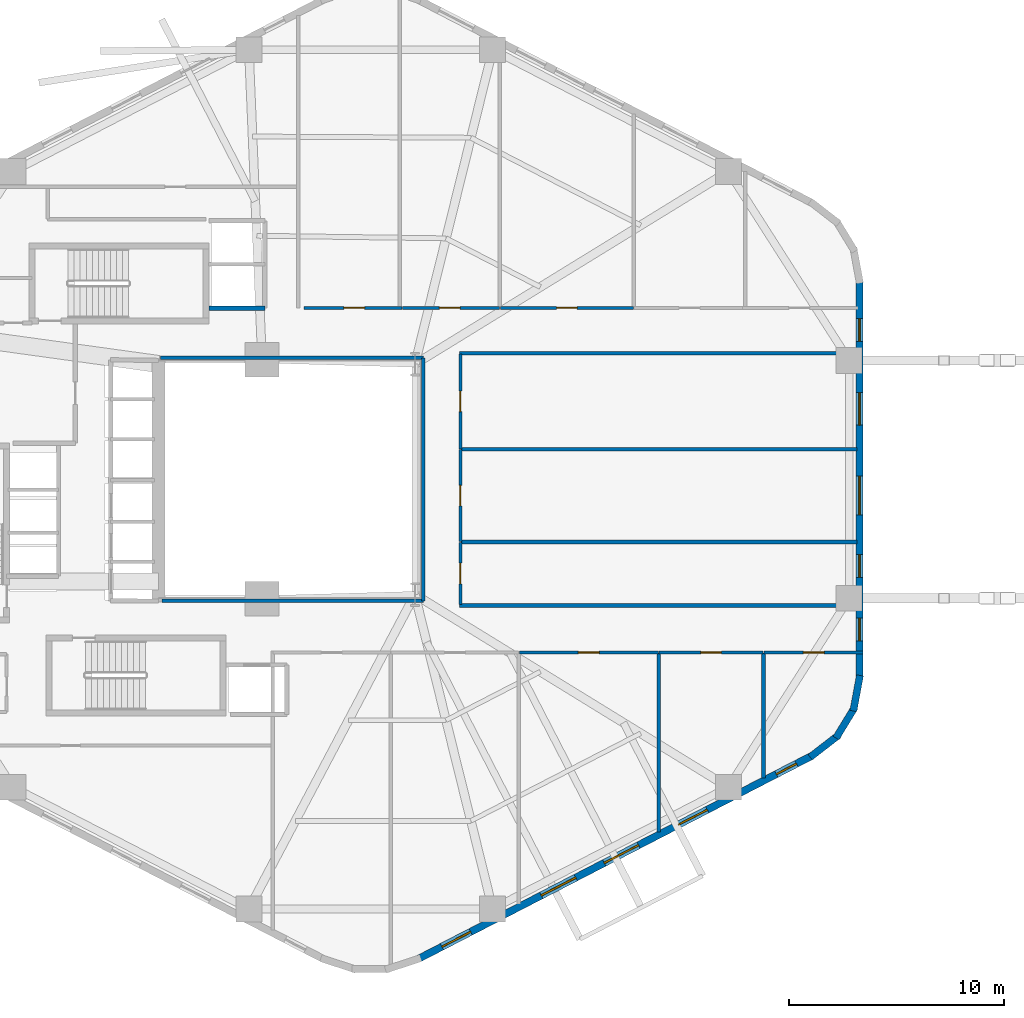
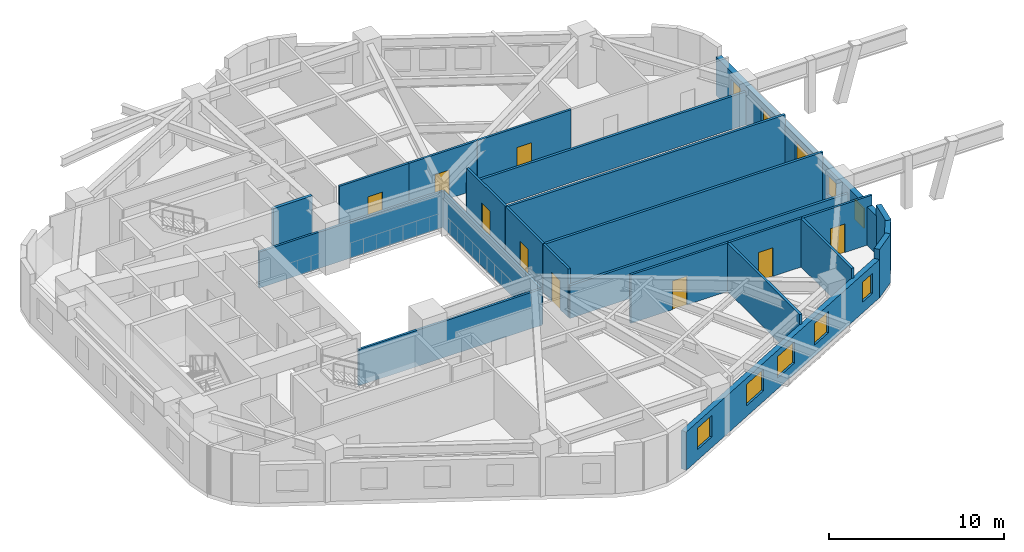
# One storey, part 4 of 7: 24 walls, 10 windows, 9 doors, 19 openings.
"""IFC4 building model written with IfcOpenShell, lengths in metres."""

from ifc_helpers import new_model, si_unit, direction, frame, frame_2d, origin, place, context, subcontext, project, spatial, rectangle, extrude, material, layer, layer_set, type_object, element, fill, save


model = new_model("IFC4")

# Units and contexts
model_context = context("Model", 3, precision=1e-05, world=origin(), true_north=direction((0.0, 1.0)))
body_context = subcontext(model_context, "Body", "Model", "MODEL_VIEW")
ifc_project = project(units=[si_unit("LENGTHUNIT", "METRE"), si_unit("AREAUNIT", "SQUARE_METRE"), si_unit("VOLUMEUNIT", "CUBIC_METRE"), si_unit("PLANEANGLEUNIT", "RADIAN"), si_unit("MASSUNIT", "GRAM", prefix="KILO"), si_unit("THERMODYNAMICTEMPERATUREUNIT", "KELVIN"), si_unit("POWERUNIT", "WATT")], contexts=[model_context])

# Site, building, storey
site_placement = place(None, origin())
site = spatial("IfcSite", under=ifc_project, at=site_placement, CompositionType="ELEMENT")
building_placement = place(site_placement, origin())
building = spatial("IfcBuilding", under=site, at=building_placement, Name="Skarre Station Tower", CompositionType="ELEMENT")
storey_placement = place(building_placement, frame((0.0, 0.0, 41.60009765625)))
storey = spatial("IfcBuildingStorey", under=building, at=storey_placement, Name="L10", CompositionType="ELEMENT", Elevation=41.60009765625)

# Walls
ifc_material_1 = material(Name="Acoustic Steel-Stud Gypsum Partition", Category="steel")
ifc_layer_1 = layer(ifc_material_1, 0.14990234375, Name="Acoustic Steel-Stud Gypsum Partition")
ifc_layer_set_1 = layer_set([ifc_layer_1], Name="Acoustic Steel-Stud Gypsum Partition")
wall_type_1 = type_object("IfcWallType", Name="Fire-Rated Corridor Acoustic Partition 150", PredefinedType="PARTITIONING", material=ifc_layer_set_1)
wall_1_placement = place(storey_placement, frame((27.699951171875, 18.360107421875, 0.0), z_axis=(0.0, 0.0, 1.0), x_axis=(1.0, 0.0, 0.0)))
element("IfcWall", 1, at=wall_1_placement, inside=storey, type_object=wall_type_1, Name="L10 Interior Partition WL-PT-L10-ATRW-S", PredefinedType="PARTITIONING", context=body_context, shape_type="SweptSolid", body=[
    extrude(rectangle(XDim=12.14013671875, YDim=0.14990234375, at=frame_2d((6.070068359375, 0.0))), origin(), (0.0, 0.0, 1.0), 2.531005859375),
])
wall_2_placement = place(storey_placement, frame((39.840087890625, 29.639892578125, 0.0), z_axis=(0.0, 0.0, 1.0), x_axis=(-1.0, 0.0, 0.0)))
element("IfcWall", 2, at=wall_2_placement, inside=storey, type_object=wall_type_1, Name="L10 Interior Partition WL-PT-L10-ATRW-N", PredefinedType="PARTITIONING", context=body_context, shape_type="SweptSolid", body=[
    extrude(rectangle(XDim=12.2001953125, YDim=0.14990234375, at=frame_2d((6.10009765625, 0.0))), origin(), (0.0, 0.0, 1.0), 2.531005859375),
])
wall_3_placement = place(storey_placement, frame((39.840087890625, 18.360107421875, 0.0), z_axis=(0.0, 0.0, 1.0), x_axis=(0.0, 1.0, 0.0)))
element("IfcWall", 3, at=wall_3_placement, inside=storey, type_object=wall_type_1, Name="L10 Interior Partition WL-PT-L10-ATRW-E", PredefinedType="PARTITIONING", context=body_context, shape_type="SweptSolid", body=[
    extrude(rectangle(XDim=11.27978515625, YDim=0.14990234375, at=frame_2d((5.639892578125, 0.0))), origin(), (0.0, 0.0, 1.0), 2.512939453125),
])

# Wall, opening, door
wall_4_placement = place(storey_placement, frame((38.85888671875, 31.9599609375, 0.0), z_axis=(0.0, 0.0, 1.0), x_axis=(-1.0, 0.0, 0.0)))
wall_4 = element("IfcWall", 4, at=wall_4_placement, inside=storey, type_object=wall_type_1, Name="L10 Interior Partition WL-PT-L10-NW1-CW", PredefinedType="PARTITIONING", context=body_context, shape_type="SweptSolid", body=[
    extrude(rectangle(XDim=4.56884765625, YDim=0.14990234375, at=frame_2d((2.284423828125, 0.0))), origin(), (0.0, 0.0, 1.0), 3.389892578125),
])
opening_1_placement = place(wall_4_placement, frame((1.748046875, 0.0, 0.0)))
opening_1 = element("IfcOpeningElement", 5, at=opening_1_placement, cuts=wall_4, Name="Opening DR-FD60", PredefinedType="OPENING", context=body_context, shape_type="SweptSolid", body=[
    extrude(rectangle(XDim=0.9599609375, YDim=2.0, at=frame_2d((0.47998046875, 1.0))), frame((0.0, 0.0849609375, 0.0), z_axis=(0.0, -1.0, 0.0), x_axis=(1.0, 0.0, 0.0)), (0.0, 0.0, 1.0), 0.169921875),
])
ifc_material_2 = material(Name="Nordic White-Oak Veneer Solid-Core Fire Leaf", Category="wood")
door_type = type_object("IfcDoorType", Name="Corridor Suite Entry Fire Door FD60 960x2150", OperationType="SINGLE_SWING_LEFT", PredefinedType="DOOR", material=ifc_material_2)
door_1_placement = place(opening_1_placement, origin())
door_1 = element("IfcDoor", 6, at=door_1_placement, inside=storey, type_object=door_type, Name="L10 NW1 Entry Door", OperationType="SINGLE_SWING_LEFT", OverallHeight=2.0, OverallWidth=0.9599609375, PredefinedType="DOOR", context=body_context, shape_type="SweptSolid", body=[
    extrude(rectangle(XDim=0.9599609375, YDim=2.0, at=frame_2d((0.47998046875, 1.0))), frame((0.0, 0.02490234375, 0.0), z_axis=(0.0, -1.0, 0.0), x_axis=(1.0, 0.0, 0.0)), (0.0, 0.0, 1.0), 0.050048828125),
])
fill(opening_1, door_1)

wall_5_placement = place(storey_placement, frame((43.382080078125, 31.9599609375, 0.0), z_axis=(0.0, 0.0, 1.0), x_axis=(-1.0, 0.0, 0.0)))
wall_5 = element("IfcWall", 7, at=wall_5_placement, inside=storey, type_object=wall_type_1, Name="L10 Interior Partition WL-PT-L10-NW2-CW", PredefinedType="PARTITIONING", context=body_context, shape_type="SweptSolid", body=[
    extrude(rectangle(XDim=4.51318359375, YDim=0.14990234375, at=frame_2d((2.256591796875, 0.0))), origin(), (0.0, 0.0, 1.0), 3.389892578125),
])
opening_2_placement = place(wall_5_placement, frame((1.833984375, 0.0, 0.0)))
opening_2 = element("IfcOpeningElement", 8, at=opening_2_placement, cuts=wall_5, Name="Opening DR-FD60", PredefinedType="OPENING", context=body_context, shape_type="SweptSolid", body=[
    extrude(rectangle(XDim=0.9599609375, YDim=2.0, at=frame_2d((0.47998046875, 1.0))), frame((0.0, 0.0849609375, 0.0), z_axis=(0.0, -1.0, 0.0), x_axis=(1.0, 0.0, 0.0)), (0.0, 0.0, 1.0), 0.169921875),
])
door_2_placement = place(opening_2_placement, origin())
door_2 = element("IfcDoor", 9, at=door_2_placement, inside=storey, type_object=door_type, Name="L10 NW2 Entry Door", OperationType="SINGLE_SWING_LEFT", OverallHeight=2.0, OverallWidth=0.9599609375, PredefinedType="DOOR", context=body_context, shape_type="SweptSolid", body=[
    extrude(rectangle(XDim=0.9599609375, YDim=2.0, at=frame_2d((0.47998046875, 1.0))), frame((0.0, 0.02490234375, 0.0), z_axis=(0.0, -1.0, 0.0), x_axis=(1.0, 0.0, 0.0)), (0.0, 0.0, 1.0), 0.050048828125),
])
fill(opening_2, door_2)

wall_6_placement = place(storey_placement, frame((49.593994140625, 31.9599609375, 0.0), z_axis=(0.0, 0.0, 1.0), x_axis=(-1.0, 0.0, 0.0)))
wall_6 = element("IfcWall", 10, at=wall_6_placement, inside=storey, type_object=wall_type_1, Name="L10 Interior Partition WL-PT-L10-NW3-CW", PredefinedType="PARTITIONING", context=body_context, shape_type="SweptSolid", body=[
    extrude(rectangle(XDim=6.179931640625, YDim=0.14990234375, at=frame_2d((3.08984375, 0.0))), origin(), (0.0, 0.0, 1.0), 3.389892578125),
])
opening_3_placement = place(wall_6_placement, frame((2.610107421875, 0.0, 0.0)))
opening_3 = element("IfcOpeningElement", 11, at=opening_3_placement, cuts=wall_6, Name="Opening DR-FD60", PredefinedType="OPENING", context=body_context, shape_type="SweptSolid", body=[
    extrude(rectangle(XDim=0.9599609375, YDim=2.0, at=frame_2d((0.47998046875, 1.0))), frame((0.0, 0.0849609375, 0.0), z_axis=(0.0, -1.0, 0.0), x_axis=(1.0, 0.0, 0.0)), (0.0, 0.0, 1.0), 0.169921875),
])
door_3_placement = place(opening_3_placement, origin())
door_3 = element("IfcDoor", 12, at=door_3_placement, inside=storey, type_object=door_type, Name="L10 NW3 Entry Door", OperationType="SINGLE_SWING_LEFT", OverallHeight=2.0, OverallWidth=0.9599609375, PredefinedType="DOOR", context=body_context, shape_type="SweptSolid", body=[
    extrude(rectangle(XDim=0.9599609375, YDim=2.0, at=frame_2d((0.47998046875, 1.0))), frame((0.0, 0.02490234375, 0.0), z_axis=(0.0, -1.0, 0.0), x_axis=(1.0, 0.0, 0.0)), (0.0, 0.0, 1.0), 0.050048828125),
])
fill(opening_3, door_3)

wall_7_placement = place(storey_placement, frame((41.56005859375, 18.179931640625, 0.0), z_axis=(0.0, 0.0, 1.0), x_axis=(0.0, 1.0, 0.0)))
wall_7 = element("IfcWall", 13, at=wall_7_placement, inside=storey, type_object=wall_type_1, Name="L10 Interior Partition WL-PT-L10-EW1-CW", PredefinedType="PARTITIONING", context=body_context, shape_type="SweptSolid", body=[
    extrude(rectangle(XDim=2.89208984375, YDim=0.14990234375, at=frame_2d((1.446044921875, 0.0))), origin(), (0.0, 0.0, 1.0), 3.389892578125),
])
opening_4_placement = place(wall_7_placement, frame((0.966064453125, 0.0, 0.0)))
opening_4 = element("IfcOpeningElement", 14, at=opening_4_placement, cuts=wall_7, Name="Opening DR-FD60", PredefinedType="OPENING", context=body_context, shape_type="SweptSolid", body=[
    extrude(rectangle(XDim=0.9599609375, YDim=2.0, at=frame_2d((0.47998046875, 1.0))), frame((0.0, 0.0849609375, 0.0), z_axis=(0.0, -1.0, 0.0), x_axis=(1.0, 0.0, 0.0)), (0.0, 0.0, 1.0), 0.169921875),
])
door_4_placement = place(opening_4_placement, origin())
door_4 = element("IfcDoor", 15, at=door_4_placement, inside=storey, type_object=door_type, Name="L10 EW1 Entry Door", OperationType="SINGLE_SWING_LEFT", OverallHeight=2.0, OverallWidth=0.9599609375, PredefinedType="DOOR", context=body_context, shape_type="SweptSolid", body=[
    extrude(rectangle(XDim=0.9599609375, YDim=2.0, at=frame_2d((0.47998046875, 1.0))), frame((0.0, 0.02490234375, 0.0), z_axis=(0.0, -1.0, 0.0), x_axis=(1.0, 0.0, 0.0)), (0.0, 0.0, 1.0), 0.050048828125),
])
fill(opening_4, door_4)

wall_8_placement = place(storey_placement, frame((41.56005859375, 21.10791015625, 0.0), z_axis=(0.0, 0.0, 1.0), x_axis=(0.0, 1.0, 0.0)))
wall_8 = element("IfcWall", 16, at=wall_8_placement, inside=storey, type_object=wall_type_1, Name="L10 Interior Partition WL-PT-L10-EW2-CW", PredefinedType="PARTITIONING", context=body_context, shape_type="SweptSolid", body=[
    extrude(rectangle(XDim=4.27099609375, YDim=0.14990234375, at=frame_2d((2.135498046875, 0.0))), origin(), (0.0, 0.0, 1.0), 3.389892578125),
])
opening_5_placement = place(wall_8_placement, frame((1.656005859375, 0.0, 0.0)))
opening_5 = element("IfcOpeningElement", 17, at=opening_5_placement, cuts=wall_8, Name="Opening DR-FD60", PredefinedType="OPENING", context=body_context, shape_type="SweptSolid", body=[
    extrude(rectangle(XDim=0.9599609375, YDim=2.0, at=frame_2d((0.47998046875, 1.0))), frame((0.0, 0.0849609375, 0.0), z_axis=(0.0, -1.0, 0.0), x_axis=(1.0, 0.0, 0.0)), (0.0, 0.0, 1.0), 0.169921875),
])
door_5_placement = place(opening_5_placement, origin())
door_5 = element("IfcDoor", 18, at=door_5_placement, inside=storey, type_object=door_type, Name="L10 EW2 Entry Door", OperationType="SINGLE_SWING_LEFT", OverallHeight=2.0, OverallWidth=0.9599609375, PredefinedType="DOOR", context=body_context, shape_type="SweptSolid", body=[
    extrude(rectangle(XDim=0.9599609375, YDim=2.0, at=frame_2d((0.47998046875, 1.0))), frame((0.0, 0.02490234375, 0.0), z_axis=(0.0, -1.0, 0.0), x_axis=(1.0, 0.0, 0.0)), (0.0, 0.0, 1.0), 0.050048828125),
])
fill(opening_5, door_5)

wall_9_placement = place(storey_placement, frame((41.56005859375, 25.4150390625, 0.0), z_axis=(0.0, 0.0, 1.0), x_axis=(0.0, 1.0, 0.0)))
wall_9 = element("IfcWall", 19, at=wall_9_placement, inside=storey, type_object=wall_type_1, Name="L10 Interior Partition WL-PT-L10-EW3-CW", PredefinedType="PARTITIONING", context=body_context, shape_type="SweptSolid", body=[
    extrude(rectangle(XDim=4.405029296875, YDim=0.14990234375, at=frame_2d((2.20263671875, 0.0))), origin(), (0.0, 0.0, 1.0), 3.389892578125),
])
opening_6_placement = place(wall_9_placement, frame((1.722900390625, 0.0, 0.0)))
opening_6 = element("IfcOpeningElement", 20, at=opening_6_placement, cuts=wall_9, Name="Opening DR-FD60", PredefinedType="OPENING", context=body_context, shape_type="SweptSolid", body=[
    extrude(rectangle(XDim=0.9599609375, YDim=2.0, at=frame_2d((0.47998046875, 1.0))), frame((0.0, 0.0849609375, 0.0), z_axis=(0.0, -1.0, 0.0), x_axis=(1.0, 0.0, 0.0)), (0.0, 0.0, 1.0), 0.169921875),
])
door_6_placement = place(opening_6_placement, origin())
door_6 = element("IfcDoor", 21, at=door_6_placement, inside=storey, type_object=door_type, Name="L10 EW3 Entry Door", OperationType="SINGLE_SWING_LEFT", OverallHeight=2.0, OverallWidth=0.9599609375, PredefinedType="DOOR", context=body_context, shape_type="SweptSolid", body=[
    extrude(rectangle(XDim=0.9599609375, YDim=2.0, at=frame_2d((0.47998046875, 1.0))), frame((0.0, 0.02490234375, 0.0), z_axis=(0.0, -1.0, 0.0), x_axis=(1.0, 0.0, 0.0)), (0.0, 0.0, 1.0), 0.050048828125),
])
fill(opening_6, door_6)

wall_10_placement = place(storey_placement, frame((44.2958984375, 15.9599609375, 0.0), z_axis=(0.0, 0.0, 1.0), x_axis=(1.0, 0.0, 0.0)))
wall_10 = element("IfcWall", 22, at=wall_10_placement, inside=storey, type_object=wall_type_1, Name="L10 Interior Partition WL-PT-L10-SW3-CW", PredefinedType="PARTITIONING", context=body_context, shape_type="SweptSolid", body=[
    extrude(rectangle(XDim=6.4541015625, YDim=0.14990234375, at=frame_2d((3.22705078125, 0.0))), origin(), (0.0, 0.0, 1.0), 3.389892578125),
])
opening_7_placement = place(wall_10_placement, frame((2.7470703125, 0.0, 0.0)))
opening_7 = element("IfcOpeningElement", 23, at=opening_7_placement, cuts=wall_10, Name="Opening DR-FD60", PredefinedType="OPENING", context=body_context, shape_type="SweptSolid", body=[
    extrude(rectangle(XDim=0.9599609375, YDim=2.0, at=frame_2d((0.47998046875, 1.0))), frame((0.0, 0.0849609375, 0.0), z_axis=(0.0, -1.0, 0.0), x_axis=(1.0, 0.0, 0.0)), (0.0, 0.0, 1.0), 0.169921875),
])
door_7_placement = place(opening_7_placement, origin())
door_7 = element("IfcDoor", 24, at=door_7_placement, inside=storey, type_object=door_type, Name="L10 SW3 Entry Door", OperationType="SINGLE_SWING_LEFT", OverallHeight=2.0, OverallWidth=0.9599609375, PredefinedType="DOOR", context=body_context, shape_type="SweptSolid", body=[
    extrude(rectangle(XDim=0.9599609375, YDim=2.0, at=frame_2d((0.47998046875, 1.0))), frame((0.0, 0.02490234375, 0.0), z_axis=(0.0, -1.0, 0.0), x_axis=(1.0, 0.0, 0.0)), (0.0, 0.0, 1.0), 0.050048828125),
])
fill(opening_7, door_7)

wall_11_placement = place(storey_placement, frame((50.785888671875, 15.9599609375, 0.0), z_axis=(0.0, 0.0, 1.0), x_axis=(1.0, 0.0, 0.0)))
wall_11 = element("IfcWall", 25, at=wall_11_placement, inside=storey, type_object=wall_type_1, Name="L10 Interior Partition WL-PT-L10-SW4-CW", PredefinedType="PARTITIONING", context=body_context, shape_type="SweptSolid", body=[
    extrude(rectangle(XDim=4.83203125, YDim=0.14990234375, at=frame_2d((2.416015625, 0.0))), origin(), (0.0, 0.0, 1.0), 3.389892578125),
])
opening_8_placement = place(wall_11_placement, frame((1.93603515625, 0.0, 0.0)))
opening_8 = element("IfcOpeningElement", 26, at=opening_8_placement, cuts=wall_11, Name="Opening DR-FD60", PredefinedType="OPENING", context=body_context, shape_type="SweptSolid", body=[
    extrude(rectangle(XDim=0.9599609375, YDim=2.0, at=frame_2d((0.47998046875, 1.0))), frame((0.0, 0.0849609375, 0.0), z_axis=(0.0, -1.0, 0.0), x_axis=(1.0, 0.0, 0.0)), (0.0, 0.0, 1.0), 0.169921875),
])
door_8_placement = place(opening_8_placement, origin())
door_8 = element("IfcDoor", 27, at=door_8_placement, inside=storey, type_object=door_type, Name="L10 SW4 Entry Door", OperationType="SINGLE_SWING_LEFT", OverallHeight=2.0, OverallWidth=0.9599609375, PredefinedType="DOOR", context=body_context, shape_type="SweptSolid", body=[
    extrude(rectangle(XDim=0.9599609375, YDim=2.0, at=frame_2d((0.47998046875, 1.0))), frame((0.0, 0.02490234375, 0.0), z_axis=(0.0, -1.0, 0.0), x_axis=(1.0, 0.0, 0.0)), (0.0, 0.0, 1.0), 0.050048828125),
])
fill(opening_8, door_8)

wall_12_placement = place(storey_placement, frame((55.654052734375, 15.9599609375, 0.0), z_axis=(0.0, 0.0, 1.0), x_axis=(1.0, 0.0, 0.0)))
wall_12 = element("IfcWall", 28, at=wall_12_placement, inside=storey, type_object=wall_type_1, Name="L10 Interior Partition WL-PT-L10-SW5-CW", PredefinedType="PARTITIONING", context=body_context, shape_type="SweptSolid", body=[
    extrude(rectangle(XDim=4.598876953125, YDim=0.14990234375, at=frame_2d((2.29931640625, 0.0))), origin(), (0.0, 0.0, 1.0), 3.389892578125),
])
opening_9_placement = place(wall_12_placement, frame((1.8330078125, 0.0, 0.0)))
opening_9 = element("IfcOpeningElement", 29, at=opening_9_placement, cuts=wall_12, Name="Opening DR-FD60", PredefinedType="OPENING", context=body_context, shape_type="SweptSolid", body=[
    extrude(rectangle(XDim=0.9599609375, YDim=2.0, at=frame_2d((0.47998046875, 1.0))), frame((0.0, 0.0849609375, 0.0), z_axis=(0.0, -1.0, 0.0), x_axis=(1.0, 0.0, 0.0)), (0.0, 0.0, 1.0), 0.169921875),
])
door_9_placement = place(opening_9_placement, origin())
door_9 = element("IfcDoor", 30, at=door_9_placement, inside=storey, type_object=door_type, Name="L10 SW5 Entry Door", OperationType="SINGLE_SWING_LEFT", OverallHeight=2.0, OverallWidth=0.9599609375, PredefinedType="DOOR", context=body_context, shape_type="SweptSolid", body=[
    extrude(rectangle(XDim=0.9599609375, YDim=2.0, at=frame_2d((0.47998046875, 1.0))), frame((0.0, 0.02490234375, 0.0), z_axis=(0.0, -1.0, 0.0), x_axis=(1.0, 0.0, 0.0)), (0.0, 0.0, 1.0), 0.050048828125),
])
fill(opening_9, door_9)

# Wall, openings, windows
ifc_material_3 = material(Name="Precast concrete C45/55", Category="concrete")
ifc_layer_2 = layer(ifc_material_3, 0.340087890625, Name="Precast concrete C45/55")
ifc_layer_set_2 = layer_set([ifc_layer_2], Name="Precast concrete C45/55")
wall_type_2 = type_object("IfcWallType", Name="Nordic Honed Precast Facet Wall 340", PredefinedType="STANDARD", material=ifc_layer_set_2)
wall_13_placement = place(storey_placement, frame((57.8759765625, 11.158935546875, 0.0), z_axis=(0.0, 0.0, 1.0), x_axis=(-0.888634413993, -0.458616264721, 0.0)))
wall_13 = element("IfcWall", 31, at=wall_13_placement, inside=storey, type_object=wall_type_2, Name="L10 Facet 4 Nordic Precast Masonry Wall", PredefinedType="STANDARD", context=body_context, shape_type="SweptSolid", body=[
    extrude(rectangle(XDim=20.53125, YDim=0.340087890625, at=frame_2d((10.265625, 0.0))), origin(), (0.0, 0.0, 1.0), 2.683837890625),
])
opening_10_placement = place(wall_13_placement, frame((0.798095703125, 0.0, 0.75)))
opening_10 = element("IfcOpeningElement", 32, at=opening_10_placement, cuts=wall_13, Name="Opening WN-SLT", PredefinedType="OPENING", context=body_context, shape_type="SweptSolid", body=[
    extrude(rectangle(XDim=1.050048828125, YDim=1.39990234375, at=frame_2d((0.52490234375, 0.699951171875))), frame((0.0, 0.179931640625, 0.0), z_axis=(0.0, -1.0, 0.0), x_axis=(1.0, 0.0, 0.0)), (0.0, 0.0, 1.0), 0.360107421875),
])
opening_11_placement = place(wall_13_placement, frame((5.4599609375, 0.0, 0.75)))
opening_11 = element("IfcOpeningElement", 33, at=opening_11_placement, cuts=wall_13, Name="Opening WN-Z1B", PredefinedType="OPENING", context=body_context, shape_type="SweptSolid", body=[
    extrude(rectangle(XDim=1.5, YDim=1.5, at=frame_2d((0.75, 0.75))), frame((0.0, 0.179931640625, 0.0), z_axis=(0.0, -1.0, 0.0), x_axis=(1.0, 0.0, 0.0)), (0.0, 0.0, 1.0), 0.360107421875),
])
opening_12_placement = place(wall_13_placement, frame((9.0439453125, 0.0, 0.75)))
opening_12 = element("IfcOpeningElement", 34, at=opening_12_placement, cuts=wall_13, Name="Opening WN-Z1A", PredefinedType="OPENING", context=body_context, shape_type="SweptSolid", body=[
    extrude(rectangle(XDim=1.800048828125, YDim=1.5, at=frame_2d((0.89990234375, 0.75))), frame((0.0, 0.179931640625, 0.0), z_axis=(0.0, -1.0, 0.0), x_axis=(1.0, 0.0, 0.0)), (0.0, 0.0, 1.0), 0.360107421875),
])
opening_13_placement = place(wall_13_placement, frame((12.3330078125, 0.0, 0.75)))
opening_13 = element("IfcOpeningElement", 35, at=opening_13_placement, cuts=wall_13, Name="Opening WN-Z1A", PredefinedType="OPENING", context=body_context, shape_type="SweptSolid", body=[
    extrude(rectangle(XDim=1.800048828125, YDim=1.5, at=frame_2d((0.89990234375, 0.75))), frame((0.0, 0.179931640625, 0.0), z_axis=(0.0, -1.0, 0.0), x_axis=(1.0, 0.0, 0.0)), (0.0, 0.0, 1.0), 0.360107421875),
])
opening_14_placement = place(wall_13_placement, frame((17.822998046875, 0.0, 0.75)))
opening_14 = element("IfcOpeningElement", 36, at=opening_14_placement, cuts=wall_13, Name="Opening WN-Z1B", PredefinedType="OPENING", context=body_context, shape_type="SweptSolid", body=[
    extrude(rectangle(XDim=1.5, YDim=1.5, at=frame_2d((0.75, 0.75))), frame((0.0, 0.179931640625, 0.0), z_axis=(0.0, -1.0, 0.0), x_axis=(1.0, 0.0, 0.0)), (0.0, 0.0, 1.0), 0.360107421875),
])
ifc_material_4 = material(Name="Low-Iron Triple Glazing with Bronze Anodized Frame", Category="glass")
window_type_1 = type_object("IfcWindowType", Name="Nordic Corner Slot Window 1050x1400", PartitioningType="SINGLE_PANEL", PredefinedType="WINDOW", material=ifc_material_4)
window_1_placement = place(opening_10_placement, origin())
window_1 = element("IfcWindow", 37, at=window_1_placement, inside=storey, type_object=window_type_1, Name="L10 Facade Window WL-FAC-L10-F4-1", OverallHeight=1.39990234375, OverallWidth=1.050048828125, PartitioningType="SINGLE_PANEL", PredefinedType="WINDOW", context=body_context, shape_type="SweptSolid", body=[
    extrude(rectangle(XDim=1.050048828125, YDim=1.39990234375, at=frame_2d((0.52490234375, 0.699951171875))), frame((0.0, 0.030029296875, 0.0), z_axis=(0.0, -1.0, 0.0), x_axis=(1.0, 0.0, 0.0)), (0.0, 0.0, 1.0), 0.06005859375),
])
fill(opening_10, window_1)
window_type_2 = type_object("IfcWindowType", Name="Nordic Punched Triple-Glazed Window 1500x1500", PartitioningType="SINGLE_PANEL", PredefinedType="WINDOW", material=ifc_material_4)
window_2_placement = place(opening_11_placement, origin())
window_2 = element("IfcWindow", 38, at=window_2_placement, inside=storey, type_object=window_type_2, Name="L10 Facade Window WL-FAC-L10-F4-2", OverallHeight=1.5, OverallWidth=1.5, PartitioningType="SINGLE_PANEL", PredefinedType="WINDOW", context=body_context, shape_type="SweptSolid", body=[
    extrude(rectangle(XDim=1.5, YDim=1.5, at=frame_2d((0.75, 0.75))), frame((0.0, 0.030029296875, 0.0), z_axis=(0.0, -1.0, 0.0), x_axis=(1.0, 0.0, 0.0)), (0.0, 0.0, 1.0), 0.06005859375),
])
fill(opening_11, window_2)
window_3_placement = place(opening_14_placement, origin())
window_3 = element("IfcWindow", 39, at=window_3_placement, inside=storey, type_object=window_type_2, Name="L10 Facade Window WL-FAC-L10-F4-5", OverallHeight=1.5, OverallWidth=1.5, PartitioningType="SINGLE_PANEL", PredefinedType="WINDOW", context=body_context, shape_type="SweptSolid", body=[
    extrude(rectangle(XDim=1.5, YDim=1.5, at=frame_2d((0.75, 0.75))), frame((0.0, 0.030029296875, 0.0), z_axis=(0.0, -1.0, 0.0), x_axis=(1.0, 0.0, 0.0)), (0.0, 0.0, 1.0), 0.06005859375),
])
fill(opening_14, window_3)
window_type_3 = type_object("IfcWindowType", Name="Nordic Punched Triple-Glazed Window 1800x1500", PartitioningType="SINGLE_PANEL", PredefinedType="WINDOW", material=ifc_material_4)
window_4_placement = place(opening_12_placement, origin())
window_4 = element("IfcWindow", 40, at=window_4_placement, inside=storey, type_object=window_type_3, Name="L10 Facade Window WL-FAC-L10-F4-3", OverallHeight=1.5, OverallWidth=1.800048828125, PartitioningType="SINGLE_PANEL", PredefinedType="WINDOW", context=body_context, shape_type="SweptSolid", body=[
    extrude(rectangle(XDim=1.800048828125, YDim=1.5, at=frame_2d((0.89990234375, 0.75))), frame((0.0, 0.030029296875, 0.0), z_axis=(0.0, -1.0, 0.0), x_axis=(1.0, 0.0, 0.0)), (0.0, 0.0, 1.0), 0.06005859375),
])
fill(opening_12, window_4)
window_5_placement = place(opening_13_placement, origin())
window_5 = element("IfcWindow", 41, at=window_5_placement, inside=storey, type_object=window_type_3, Name="L10 Facade Window WL-FAC-L10-F4-4", OverallHeight=1.5, OverallWidth=1.800048828125, PartitioningType="SINGLE_PANEL", PredefinedType="WINDOW", context=body_context, shape_type="SweptSolid", body=[
    extrude(rectangle(XDim=1.800048828125, YDim=1.5, at=frame_2d((0.89990234375, 0.75))), frame((0.0, 0.030029296875, 0.0), z_axis=(0.0, -1.0, 0.0), x_axis=(1.0, 0.0, 0.0)), (0.0, 0.0, 1.0), 0.06005859375),
])
fill(opening_13, window_5)

wall_14_placement = place(storey_placement, frame((60.093017578125, 33.201904296875, 0.0), z_axis=(0.0, 0.0, 1.0), x_axis=(0.0, -1.0, 0.0)))
wall_14 = element("IfcWall", 42, at=wall_14_placement, inside=storey, type_object=wall_type_2, Name="L10 Facet 5 Nordic Precast Masonry Wall", PredefinedType="STANDARD", context=body_context, shape_type="SweptSolid", body=[
    extrude(rectangle(XDim=18.40380859375, YDim=0.340087890625, at=frame_2d((9.201904296875, 0.0))), origin(), (0.0, 0.0, 1.0), 2.683837890625),
])
opening_15_placement = place(wall_14_placement, frame((1.743896484375, 0.0, 0.75)))
opening_15 = element("IfcOpeningElement", 43, at=opening_15_placement, cuts=wall_14, Name="Opening WN-SLT", PredefinedType="OPENING", context=body_context, shape_type="SweptSolid", body=[
    extrude(rectangle(XDim=1.050048828125, YDim=1.39990234375, at=frame_2d((0.52490234375, 0.699951171875))), frame((0.0, 0.179931640625, 0.0), z_axis=(0.0, -1.0, 0.0), x_axis=(1.0, 0.0, 0.0)), (0.0, 0.0, 1.0), 0.360107421875),
])
opening_16_placement = place(wall_14_placement, frame((5.181884765625, 0.0, 0.75)))
opening_16 = element("IfcOpeningElement", 44, at=opening_16_placement, cuts=wall_14, Name="Opening WN-Z1B", PredefinedType="OPENING", context=body_context, shape_type="SweptSolid", body=[
    extrude(rectangle(XDim=1.5, YDim=1.5, at=frame_2d((0.75, 0.75))), frame((0.0, 0.179931640625, 0.0), z_axis=(0.0, -1.0, 0.0), x_axis=(1.0, 0.0, 0.0)), (0.0, 0.0, 1.0), 0.360107421875),
])
opening_17_placement = place(wall_14_placement, frame((9.05810546875, 0.0, 0.75)))
opening_17 = element("IfcOpeningElement", 45, at=opening_17_placement, cuts=wall_14, Name="Opening WN-Z1A", PredefinedType="OPENING", context=body_context, shape_type="SweptSolid", body=[
    extrude(rectangle(XDim=1.800048828125, YDim=1.5, at=frame_2d((0.89990234375, 0.75))), frame((0.0, 0.179931640625, 0.0), z_axis=(0.0, -1.0, 0.0), x_axis=(1.0, 0.0, 0.0)), (0.0, 0.0, 1.0), 0.360107421875),
])
opening_18_placement = place(wall_14_placement, frame((12.7041015625, 0.0, 0.75)))
opening_18 = element("IfcOpeningElement", 46, at=opening_18_placement, cuts=wall_14, Name="Opening WN-SLT", PredefinedType="OPENING", context=body_context, shape_type="SweptSolid", body=[
    extrude(rectangle(XDim=1.050048828125, YDim=1.39990234375, at=frame_2d((0.52490234375, 0.699951171875))), frame((0.0, 0.179931640625, 0.0), z_axis=(0.0, -1.0, 0.0), x_axis=(1.0, 0.0, 0.0)), (0.0, 0.0, 1.0), 0.360107421875),
])
opening_19_placement = place(wall_14_placement, frame((15.64990234375, 0.0, 0.75)))
opening_19 = element("IfcOpeningElement", 47, at=opening_19_placement, cuts=wall_14, Name="Opening WN-SLT", PredefinedType="OPENING", context=body_context, shape_type="SweptSolid", body=[
    extrude(rectangle(XDim=1.050048828125, YDim=1.39990234375, at=frame_2d((0.52490234375, 0.699951171875))), frame((0.0, 0.179931640625, 0.0), z_axis=(0.0, -1.0, 0.0), x_axis=(1.0, 0.0, 0.0)), (0.0, 0.0, 1.0), 0.360107421875),
])
window_6_placement = place(opening_15_placement, origin())
window_6 = element("IfcWindow", 48, at=window_6_placement, inside=storey, type_object=window_type_1, Name="L10 Facade Window WL-FAC-L10-F5-1", OverallHeight=1.39990234375, OverallWidth=1.050048828125, PartitioningType="SINGLE_PANEL", PredefinedType="WINDOW", context=body_context, shape_type="SweptSolid", body=[
    extrude(rectangle(XDim=1.050048828125, YDim=1.39990234375, at=frame_2d((0.52490234375, 0.699951171875))), frame((0.0, 0.030029296875, 0.0), z_axis=(0.0, -1.0, 0.0), x_axis=(1.0, 0.0, 0.0)), (0.0, 0.0, 1.0), 0.06005859375),
])
fill(opening_15, window_6)
window_7_placement = place(opening_18_placement, origin())
window_7 = element("IfcWindow", 49, at=window_7_placement, inside=storey, type_object=window_type_1, Name="L10 Facade Window WL-FAC-L10-F5-4", OverallHeight=1.39990234375, OverallWidth=1.050048828125, PartitioningType="SINGLE_PANEL", PredefinedType="WINDOW", context=body_context, shape_type="SweptSolid", body=[
    extrude(rectangle(XDim=1.050048828125, YDim=1.39990234375, at=frame_2d((0.52490234375, 0.699951171875))), frame((0.0, 0.030029296875, 0.0), z_axis=(0.0, -1.0, 0.0), x_axis=(1.0, 0.0, 0.0)), (0.0, 0.0, 1.0), 0.06005859375),
])
fill(opening_18, window_7)
window_8_placement = place(opening_19_placement, origin())
window_8 = element("IfcWindow", 50, at=window_8_placement, inside=storey, type_object=window_type_1, Name="L10 Facade Window WL-FAC-L10-F5-5", OverallHeight=1.39990234375, OverallWidth=1.050048828125, PartitioningType="SINGLE_PANEL", PredefinedType="WINDOW", context=body_context, shape_type="SweptSolid", body=[
    extrude(rectangle(XDim=1.050048828125, YDim=1.39990234375, at=frame_2d((0.52490234375, 0.699951171875))), frame((0.0, 0.030029296875, 0.0), z_axis=(0.0, -1.0, 0.0), x_axis=(1.0, 0.0, 0.0)), (0.0, 0.0, 1.0), 0.06005859375),
])
fill(opening_19, window_8)
window_9_placement = place(opening_16_placement, origin())
window_9 = element("IfcWindow", 51, at=window_9_placement, inside=storey, type_object=window_type_2, Name="L10 Facade Window WL-FAC-L10-F5-2", OverallHeight=1.5, OverallWidth=1.5, PartitioningType="SINGLE_PANEL", PredefinedType="WINDOW", context=body_context, shape_type="SweptSolid", body=[
    extrude(rectangle(XDim=1.5, YDim=1.5, at=frame_2d((0.75, 0.75))), frame((0.0, 0.030029296875, 0.0), z_axis=(0.0, -1.0, 0.0), x_axis=(1.0, 0.0, 0.0)), (0.0, 0.0, 1.0), 0.06005859375),
])
fill(opening_16, window_9)
window_10_placement = place(opening_17_placement, origin())
window_10 = element("IfcWindow", 52, at=window_10_placement, inside=storey, type_object=window_type_3, Name="L10 Facade Window WL-FAC-L10-F5-3", OverallHeight=1.5, OverallWidth=1.800048828125, PartitioningType="SINGLE_PANEL", PredefinedType="WINDOW", context=body_context, shape_type="SweptSolid", body=[
    extrude(rectangle(XDim=1.800048828125, YDim=1.5, at=frame_2d((0.89990234375, 0.75))), frame((0.0, 0.030029296875, 0.0), z_axis=(0.0, -1.0, 0.0), x_axis=(1.0, 0.0, 0.0)), (0.0, 0.0, 1.0), 0.06005859375),
])
fill(opening_17, window_10)

# Walls
ifc_layer_3 = layer(ifc_material_3, 0.330078125, Name="Precast concrete C45/55")
ifc_layer_set_3 = layer_set([ifc_layer_3], Name="Precast concrete C45/55")
wall_type_3 = type_object("IfcWallType", Name="Nordic Rounded Corner Precast Wall 330", PredefinedType="STANDARD", material=ifc_layer_set_3)
wall_15_placement = place(storey_placement, frame((60.113037109375, 14.89208984375, 0.0), z_axis=(0.0, 0.0, 1.0), x_axis=(-0.181714143354, -0.983351397063, 0.0)))
element("IfcWall", 53, at=wall_15_placement, inside=storey, type_object=wall_type_3, Name="L10 Rounded Corner Precast Wall F5-1", PredefinedType="STANDARD", context=body_context, shape_type="SweptSolid", body=[
    extrude(rectangle(XDim=1.677978515625, YDim=0.330078125, at=frame_2d((0.8388671875, 0.0))), origin(), (0.0, 0.0, 1.0), 3.389892578125),
])
wall_16_placement = place(storey_placement, frame((59.875, 13.4169921875, 0.0), z_axis=(0.0, 0.0, 1.0), x_axis=(-0.520584129191, -0.853810379671, 0.0)))
element("IfcWall", 54, at=wall_16_placement, inside=storey, type_object=wall_type_3, Name="L10 Rounded Corner Precast Wall F5-2", PredefinedType="STANDARD", context=body_context, shape_type="SweptSolid", body=[
    extrude(rectangle(XDim=1.677001953125, YDim=0.330078125, at=frame_2d((0.83837890625, 0.0))), origin(), (0.0, 0.0, 1.0), 3.389892578125),
])
wall_17_placement = place(storey_placement, frame((59.126953125, 12.125, 0.0), z_axis=(0.0, 0.0, 1.0), x_axis=(-0.790691856293, -0.61221433207, 0.0)))
element("IfcWall", 55, at=wall_17_placement, inside=storey, type_object=wall_type_3, Name="L10 Rounded Corner Precast Wall F5-3", PredefinedType="STANDARD", context=body_context, shape_type="SweptSolid", body=[
    extrude(rectangle(XDim=1.67578125, YDim=0.330078125, at=frame_2d((0.837890625, 0.0))), origin(), (0.0, 0.0, 1.0), 3.389892578125),
])
ifc_material_5 = material(Name="Gypsum Concrete Shaft Assembly C30/37", Category="concrete")
ifc_layer_4 = layer(ifc_material_5, 0.199951171875, Name="Gypsum Concrete Shaft Assembly C30/37")
ifc_layer_set_4 = layer_set([ifc_layer_4], Name="Gypsum Concrete Shaft Assembly C30/37")
wall_type_4 = type_object("IfcWallType", Name="Shaft & Core Fire Partition 200", PredefinedType="PARTITIONING", material=ifc_layer_set_4)
wall_18_placement = place(storey_placement, frame((32.47998046875, 31.949951171875, 0.0), z_axis=(0.0, 0.0, 1.0), x_axis=(-1.0, 0.0, 0.0)))
element("IfcWall", 56, at=wall_18_placement, inside=storey, type_object=wall_type_4, Name="L10 Interior Partition WL-PT-L10-EX-S", PredefinedType="PARTITIONING", context=body_context, shape_type="SweptSolid", body=[
    extrude(rectangle(XDim=2.60009765625, YDim=0.199951171875, at=frame_2d((1.300048828125, 0.0))), origin(), (0.0, 0.0, 1.0), 3.389892578125),
])
ifc_layer_5 = layer(ifc_material_1, 0.1650390625, Name="Acoustic Steel-Stud Gypsum Partition")
ifc_layer_set_5 = layer_set([ifc_layer_5], Name="Acoustic Steel-Stud Gypsum Partition")
wall_type_5 = type_object("IfcWallType", Name="Suite Demising Acoustic Partition 165", PredefinedType="PARTITIONING", material=ifc_layer_set_5)
for number, where, z_axis, x_axis, name in (
    (57, (41.52001953125, 18.139892578125, 0.0), (0.0, 0.0, 1.0), (1.0, 0.0, 0.0), "L10 Interior Partition WL-PT-L10-EWB-S"),
    (58, (41.52001953125, 29.860107421875, 0.0), (0.0, 0.0, 1.0), (1.0, 0.0, 0.0), "L10 Interior Partition WL-PT-L10-EWB-N"),
):
    element("IfcWall", number, at=place(storey_placement, frame(where, z_axis=z_axis, x_axis=x_axis)), inside=storey, type_object=wall_type_5, Name=name, PredefinedType="PARTITIONING", context=body_context, shape_type="SweptSolid", body=[
        extrude(rectangle(XDim=18.452880859375, YDim=0.1650390625, at=frame_2d((9.2265625, 0.0))), origin(), (0.0, 0.0, 1.0), 2.2978515625),
    ])
for number, where, z_axis, x_axis, name in (
    (59, (41.590087890625, 21.090087890625, 0.0), (0.0, 0.0, 1.0), (1.0, 0.0, 0.0), "L10 Interior Partition WL-PT-L10-EW-P1"),
    (60, (41.590087890625, 25.39697265625, 0.0), (0.0, 0.0, 1.0), (1.0, 0.0, 0.0), "L10 Interior Partition WL-PT-L10-EW-P2"),
):
    element("IfcWall", number, at=place(storey_placement, frame(where, z_axis=z_axis, x_axis=x_axis)), inside=storey, type_object=wall_type_5, Name=name, PredefinedType="PARTITIONING", context=body_context, shape_type="SweptSolid", body=[
        extrude(rectangle(XDim=18.3828125, YDim=0.1650390625, at=frame_2d((9.19140625, 0.0))), origin(), (0.0, 0.0, 1.0), 3.389892578125),
    ])
wall_19_placement = place(storey_placement, frame((50.76806640625, 7.6259765625, 0.0), z_axis=(0.0, 0.0, 1.0), x_axis=(0.0, 1.0, 0.0)))
element("IfcWall", 61, at=wall_19_placement, inside=storey, type_object=wall_type_5, Name="L10 Interior Partition WL-PT-L10-SW-P3", PredefinedType="PARTITIONING", context=body_context, shape_type="SweptSolid", body=[
    extrude(rectangle(XDim=8.303955078125, YDim=0.1650390625, at=frame_2d((4.15185546875, 0.0))), origin(), (0.0, 0.0, 1.0), 3.389892578125),
])
wall_20_placement = place(storey_placement, frame((55.635986328125, 10.137939453125, 0.0), z_axis=(0.0, 0.0, 1.0), x_axis=(0.0, 1.0, 0.0)))
element("IfcWall", 62, at=wall_20_placement, inside=storey, type_object=wall_type_5, Name="L10 Interior Partition WL-PT-L10-SW-P4", PredefinedType="PARTITIONING", context=body_context, shape_type="SweptSolid", body=[
    extrude(rectangle(XDim=5.7919921875, YDim=0.1650390625, at=frame_2d((2.89599609375, 0.0))), origin(), (0.0, 0.0, 1.0), 3.389892578125),
])

save(model, "model.ifc")
